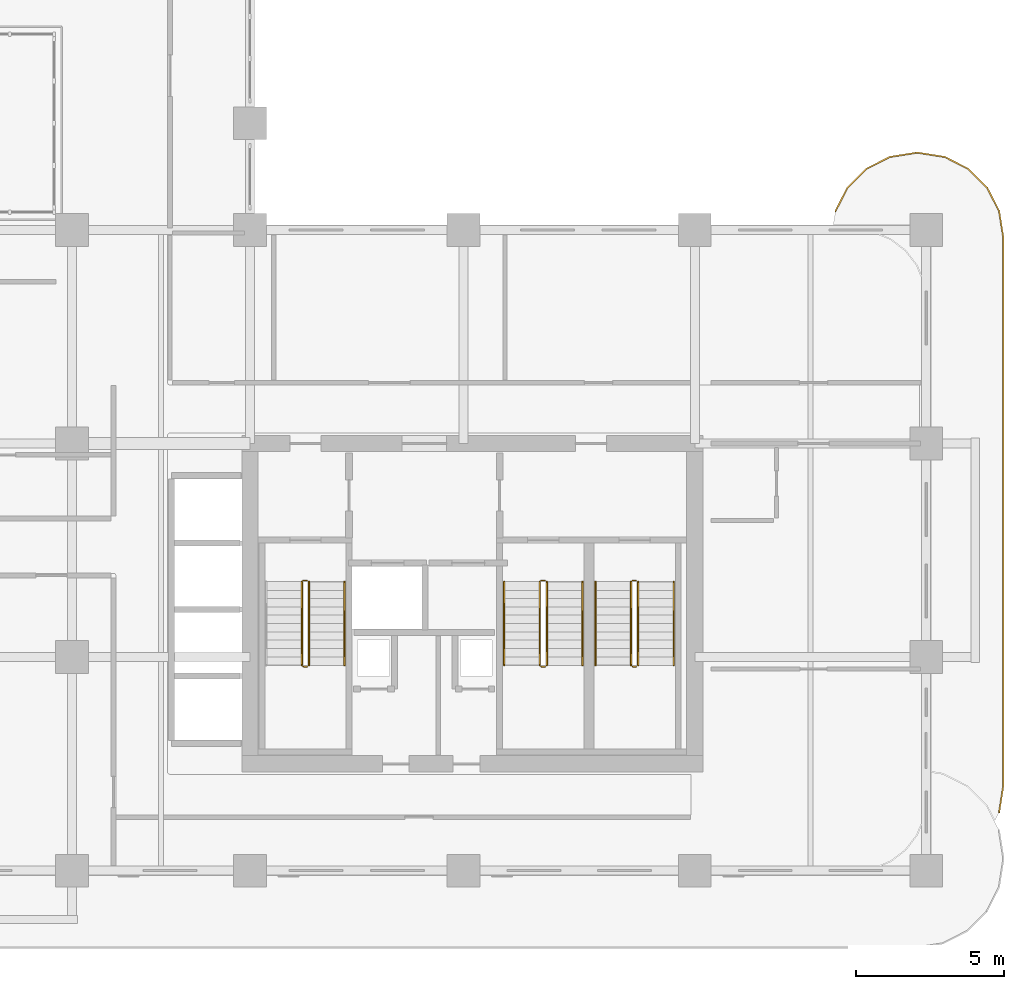
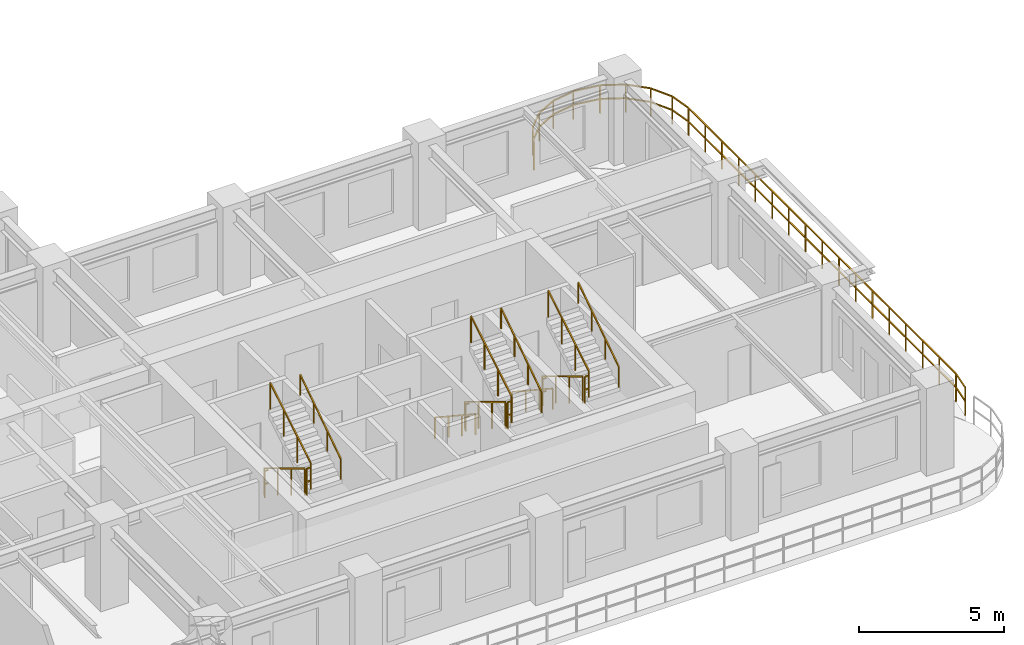
# One storey, part 20 of 22: 18 railings.
"""IFC4 building model written with IfcOpenShell, lengths in metres."""

from ifc_helpers import new_model, si_unit, derived_unit, direction, frame, origin, origin_2d, place, context, subcontext, project, spatial, rectangle, extrude, material, type_object, element, save


model = new_model("IFC4")

# Units and contexts
model_context = context("Model", 3, precision=1e-05, world=origin(), true_north=direction((0.0, 1.0)))
body_context = subcontext(model_context, "Body", "Model", "MODEL_VIEW")
ifc_project = project(units=[si_unit("LENGTHUNIT", "METRE"), si_unit("AREAUNIT", "SQUARE_METRE"), si_unit("VOLUMEUNIT", "CUBIC_METRE"), si_unit("PLANEANGLEUNIT", "RADIAN"), si_unit("MASSUNIT", "GRAM", prefix="KILO"), si_unit("THERMODYNAMICTEMPERATUREUNIT", "KELVIN"), si_unit("POWERUNIT", "WATT"), derived_unit("THERMALTRANSMITTANCEUNIT", [(si_unit("POWERUNIT", "WATT"), 1), (si_unit("AREAUNIT", "SQUARE_METRE"), -1), (si_unit("THERMODYNAMICTEMPERATUREUNIT", "KELVIN"), -1)])], contexts=[model_context])

# Site, building, storey
site_placement = place(None, origin())
site = spatial("IfcSite", under=ifc_project, at=site_placement, CompositionType="ELEMENT")
building_placement = place(site_placement, origin())
building = spatial("IfcBuilding", under=site, at=building_placement, Name="Zahravan Archway Hotel and Residences", CompositionType="ELEMENT")
storey_placement = place(building_placement, frame((0.0, 0.0, 84.199951171875)))
storey = spatial("IfcBuildingStorey", under=building, at=storey_placement, Name="L20", CompositionType="ELEMENT", Elevation=84.199951171875)

# Railings
ifc_material_1 = material(Name="Bronze & Laminated Glass Balustrade", Category="glass")
railing_type_1 = type_object("IfcRailingType", Name="RL-BAL-1200", PredefinedType="BALUSTRADE", material=ifc_material_1)
railing_1_placement = place(storey_placement, frame((54.53955078125, 22.230712890625, 0.0)))
element("IfcRailing", 1, at=railing_1_placement, inside=storey, type_object=railing_type_1, Name="L20 Balustrade RL-SLB-BAL-L20-EA-1", PredefinedType="BALUSTRADE", context=body_context, shape_type="SweptSolid", body=[
    extrude(rectangle(XDim=0.048095703125, YDim=0.048095703125, at=origin_2d()), frame((0.0, 0.0, 1.17578125), z_axis=(0.453991409995, 0.891006060389, 0.0), x_axis=(-0.891006060389, 0.453991409995, 0.0)), (0.0, 0.0, 1.0), 0.8916015625),
    extrude(rectangle(XDim=0.048095703125, YDim=0.048095703125, at=origin_2d()), frame((0.0, 0.0, 0.60009765625), z_axis=(0.453991409995, 0.891006060389, 0.0), x_axis=(-0.891006060389, 0.453991409995, 0.0)), (0.0, 0.0, 1.0), 0.8916015625),
    extrude(rectangle(XDim=0.048095703125, YDim=0.048095703125, at=origin_2d()), frame((0.40478515625, 0.79443359375, 1.17578125), z_axis=(0.706969864397, 0.70724367147, 0.0), x_axis=(-0.70724367147, 0.706969864397, 0.0)), (0.0, 0.0, 1.0), 0.8916015625),
    extrude(rectangle(XDim=0.048095703125, YDim=0.048095703125, at=origin_2d()), frame((0.40478515625, 0.79443359375, 0.60009765625), z_axis=(0.706969864397, 0.70724367147, 0.0), x_axis=(-0.70724367147, 0.706969864397, 0.0)), (0.0, 0.0, 1.0), 0.8916015625),
    extrude(rectangle(XDim=0.048095703125, YDim=0.048095703125, at=origin_2d()), frame((1.03515625, 1.425048828125, 1.17578125), z_axis=(0.891062476022, 0.45388067135, 0.0), x_axis=(-0.45388067135, 0.891062476022, 0.0)), (0.0, 0.0, 1.0), 0.891845703125),
    extrude(rectangle(XDim=0.048095703125, YDim=0.048095703125, at=origin_2d()), frame((1.03515625, 1.425048828125, 0.60009765625), z_axis=(0.891062476022, 0.45388067135, 0.0), x_axis=(-0.45388067135, 0.891062476022, 0.0)), (0.0, 0.0, 1.0), 0.891845703125),
    extrude(rectangle(XDim=0.048095703125, YDim=0.048095703125, at=origin_2d()), frame((1.829833984375, 1.829833984375, 1.17578125), z_axis=(0.987700720307, 0.156356282588, 0.0), x_axis=(-0.156356282588, 0.987700720307, 0.0)), (0.0, 0.0, 1.0), 0.8916015625),
    extrude(rectangle(XDim=0.048095703125, YDim=0.048095703125, at=origin_2d()), frame((1.829833984375, 1.829833984375, 0.60009765625), z_axis=(0.987700720307, 0.156356282588, 0.0), x_axis=(-0.156356282588, 0.987700720307, 0.0)), (0.0, 0.0, 1.0), 0.8916015625),
    extrude(rectangle(XDim=0.048095703125, YDim=0.048095703125, at=origin_2d()), frame((2.71044921875, 1.96923828125, 1.17578125), z_axis=(1.0, 0.0, 0.0), x_axis=(0.0, 1.0, 0.0)), (0.0, 0.0, 1.0), 0.10009765625),
    extrude(rectangle(XDim=0.048095703125, YDim=0.048095703125, at=origin_2d()), frame((2.71044921875, 1.96923828125, 0.60009765625), z_axis=(1.0, 0.0, 0.0), x_axis=(0.0, 1.0, 0.0)), (0.0, 0.0, 1.0), 0.10009765625),
    extrude(rectangle(XDim=0.048095703125, YDim=0.048095703125, at=origin_2d()), frame((2.810546875, 1.96923828125, 1.17578125), z_axis=(0.987700720307, -0.156356282588, 0.0), x_axis=(0.156356282588, 0.987700720307, 0.0)), (0.0, 0.0, 1.0), 0.8916015625),
    extrude(rectangle(XDim=0.048095703125, YDim=0.048095703125, at=origin_2d()), frame((2.810546875, 1.96923828125, 0.60009765625), z_axis=(0.987700720307, -0.156356282588, 0.0), x_axis=(0.156356282588, 0.987700720307, 0.0)), (0.0, 0.0, 1.0), 0.8916015625),
    extrude(rectangle(XDim=0.048095703125, YDim=0.048095703125, at=origin_2d()), frame((3.691162109375, 1.829833984375, 1.17578125), z_axis=(0.891006060389, -0.453991409995, 0.0), x_axis=(0.453991409995, 0.891006060389, 0.0)), (0.0, 0.0, 1.0), 0.8916015625),
    extrude(rectangle(XDim=0.048095703125, YDim=0.048095703125, at=origin_2d()), frame((3.691162109375, 1.829833984375, 0.60009765625), z_axis=(0.891006060389, -0.453991409995, 0.0), x_axis=(0.453991409995, 0.891006060389, 0.0)), (0.0, 0.0, 1.0), 0.8916015625),
    extrude(rectangle(XDim=0.048095703125, YDim=0.048095703125, at=origin_2d()), frame((4.485595703125, 1.425048828125, 1.17578125), z_axis=(0.707106781187, -0.707106781187, 0.0), x_axis=(0.707106781187, 0.707106781187, 0.0)), (0.0, 0.0, 1.0), 0.891845703125),
    extrude(rectangle(XDim=0.048095703125, YDim=0.048095703125, at=origin_2d()), frame((4.485595703125, 1.425048828125, 0.60009765625), z_axis=(0.707106781187, -0.707106781187, 0.0), x_axis=(0.707106781187, 0.707106781187, 0.0)), (0.0, 0.0, 1.0), 0.891845703125),
    extrude(rectangle(XDim=0.048095703125, YDim=0.048095703125, at=origin_2d()), frame((5.1162109375, 0.79443359375, 1.17578125), z_axis=(0.453991409995, -0.891006060389, 0.0), x_axis=(0.891006060389, 0.453991409995, 0.0)), (0.0, 0.0, 1.0), 0.8916015625),
    extrude(rectangle(XDim=0.048095703125, YDim=0.048095703125, at=origin_2d()), frame((5.1162109375, 0.79443359375, 0.60009765625), z_axis=(0.453991409995, -0.891006060389, 0.0), x_axis=(0.891006060389, 0.453991409995, 0.0)), (0.0, 0.0, 1.0), 0.8916015625),
    extrude(rectangle(XDim=0.048095703125, YDim=0.048095703125, at=origin_2d()), frame((5.52099609375, 0.0, 1.17578125), z_axis=(0.156356282588, -0.987700720307, 0.0), x_axis=(0.987700720307, 0.156356282588, 0.0)), (0.0, 0.0, 1.0), 0.8916015625),
    extrude(rectangle(XDim=0.048095703125, YDim=0.048095703125, at=origin_2d()), frame((5.52099609375, 0.0, 0.60009765625), z_axis=(0.156356282588, -0.987700720307, 0.0), x_axis=(0.987700720307, 0.156356282588, 0.0)), (0.0, 0.0, 1.0), 0.8916015625),
    extrude(rectangle(XDim=0.048095703125, YDim=0.048095703125, at=origin_2d()), frame((5.660400390625, -0.880615234375, 1.17578125), z_axis=(0.0, -1.0, 0.0), x_axis=(1.0, 0.0, 0.0)), (0.0, 0.0, 1.0), 18.5),
    extrude(rectangle(XDim=0.048095703125, YDim=0.048095703125, at=origin_2d()), frame((5.660400390625, -0.880615234375, 0.60009765625), z_axis=(0.0, -1.0, 0.0), x_axis=(1.0, 0.0, 0.0)), (0.0, 0.0, 1.0), 18.5),
    extrude(rectangle(XDim=0.048095703125, YDim=0.048095703125, at=origin_2d()), frame((5.660400390625, -19.380615234375, 1.17578125), z_axis=(-0.156314005608, -0.987707411965, 0.0), x_axis=(0.987707411965, -0.156314005608, 0.0)), (0.0, 0.0, 1.0), 0.891845703125),
    extrude(rectangle(XDim=0.048095703125, YDim=0.048095703125, at=origin_2d()), frame((5.660400390625, -19.380615234375, 0.60009765625), z_axis=(-0.156314005608, -0.987707411965, 0.0), x_axis=(0.987707411965, -0.156314005608, 0.0)), (0.0, 0.0, 1.0), 0.891845703125),
    extrude(rectangle(XDim=0.0419921875, YDim=0.0419921875, at=origin_2d()), origin(), (0.0, 0.0, 1.0), 1.15185546875),
    extrude(rectangle(XDim=0.0419921875, YDim=0.0419921875, at=origin_2d()), frame((0.40478515625, 0.79443359375, 0.0)), (0.0, 0.0, 1.0), 1.15185546875),
    extrude(rectangle(XDim=0.0419921875, YDim=0.0419921875, at=origin_2d()), frame((1.03515625, 1.425048828125, 0.0)), (0.0, 0.0, 1.0), 1.15185546875),
    extrude(rectangle(XDim=0.0419921875, YDim=0.0419921875, at=origin_2d()), frame((1.829833984375, 1.829833984375, 0.0)), (0.0, 0.0, 1.0), 1.15185546875),
    extrude(rectangle(XDim=0.0419921875, YDim=0.0419921875, at=origin_2d()), frame((2.71044921875, 1.96923828125, 0.0)), (0.0, 0.0, 1.0), 1.15185546875),
    extrude(rectangle(XDim=0.0419921875, YDim=0.0419921875, at=origin_2d()), frame((3.691162109375, 1.829833984375, 0.0)), (0.0, 0.0, 1.0), 1.15185546875),
    extrude(rectangle(XDim=0.0419921875, YDim=0.0419921875, at=origin_2d()), frame((4.485595703125, 1.425048828125, 0.0)), (0.0, 0.0, 1.0), 1.15185546875),
    extrude(rectangle(XDim=0.0419921875, YDim=0.0419921875, at=origin_2d()), frame((5.1162109375, 0.79443359375, 0.0)), (0.0, 0.0, 1.0), 1.15185546875),
    extrude(rectangle(XDim=0.0419921875, YDim=0.0419921875, at=origin_2d()), frame((5.52099609375, 0.0, 0.0)), (0.0, 0.0, 1.0), 1.15185546875),
    extrude(rectangle(XDim=0.0419921875, YDim=0.0419921875, at=origin_2d()), frame((5.660400390625, -0.880615234375, 0.0)), (0.0, 0.0, 1.0), 1.15185546875),
    extrude(rectangle(XDim=0.0419921875, YDim=0.0419921875, at=origin_2d()), frame((5.660400390625, -2.036865234375, 0.0)), (0.0, 0.0, 1.0), 1.15185546875),
    extrude(rectangle(XDim=0.0419921875, YDim=0.0419921875, at=origin_2d()), frame((5.660400390625, -3.193115234375, 0.0)), (0.0, 0.0, 1.0), 1.15185546875),
    extrude(rectangle(XDim=0.0419921875, YDim=0.0419921875, at=origin_2d()), frame((5.660400390625, -4.349365234375, 0.0)), (0.0, 0.0, 1.0), 1.15185546875),
    extrude(rectangle(XDim=0.0419921875, YDim=0.0419921875, at=origin_2d()), frame((5.660400390625, -5.505615234375, 0.0)), (0.0, 0.0, 1.0), 1.15185546875),
    extrude(rectangle(XDim=0.0419921875, YDim=0.0419921875, at=origin_2d()), frame((5.660400390625, -6.661865234375, 0.0)), (0.0, 0.0, 1.0), 1.15185546875),
    extrude(rectangle(XDim=0.0419921875, YDim=0.0419921875, at=origin_2d()), frame((5.660400390625, -7.818115234375, 0.0)), (0.0, 0.0, 1.0), 1.15185546875),
    extrude(rectangle(XDim=0.0419921875, YDim=0.0419921875, at=origin_2d()), frame((5.660400390625, -8.974365234375, 0.0)), (0.0, 0.0, 1.0), 1.15185546875),
    extrude(rectangle(XDim=0.0419921875, YDim=0.0419921875, at=origin_2d()), frame((5.660400390625, -10.130615234375, 0.0)), (0.0, 0.0, 1.0), 1.15185546875),
    extrude(rectangle(XDim=0.0419921875, YDim=0.0419921875, at=origin_2d()), frame((5.660400390625, -11.286865234375, 0.0)), (0.0, 0.0, 1.0), 1.15185546875),
    extrude(rectangle(XDim=0.0419921875, YDim=0.0419921875, at=origin_2d()), frame((5.660400390625, -12.443115234375, 0.0)), (0.0, 0.0, 1.0), 1.15185546875),
    extrude(rectangle(XDim=0.0419921875, YDim=0.0419921875, at=origin_2d()), frame((5.660400390625, -13.599365234375, 0.0)), (0.0, 0.0, 1.0), 1.15185546875),
    extrude(rectangle(XDim=0.0419921875, YDim=0.0419921875, at=origin_2d()), frame((5.660400390625, -14.755615234375, 0.0)), (0.0, 0.0, 1.0), 1.15185546875),
    extrude(rectangle(XDim=0.0419921875, YDim=0.0419921875, at=origin_2d()), frame((5.660400390625, -15.911865234375, 0.0)), (0.0, 0.0, 1.0), 1.15185546875),
    extrude(rectangle(XDim=0.0419921875, YDim=0.0419921875, at=origin_2d()), frame((5.660400390625, -17.068115234375, 0.0)), (0.0, 0.0, 1.0), 1.15185546875),
    extrude(rectangle(XDim=0.0419921875, YDim=0.0419921875, at=origin_2d()), frame((5.660400390625, -18.224365234375, 0.0)), (0.0, 0.0, 1.0), 1.15185546875),
    extrude(rectangle(XDim=0.0419921875, YDim=0.0419921875, at=origin_2d()), frame((5.660400390625, -19.380615234375, 0.0)), (0.0, 0.0, 1.0), 1.15185546875),
    extrude(rectangle(XDim=0.0419921875, YDim=0.0419921875, at=origin_2d()), frame((5.52099609375, -20.261474609375, 0.0)), (0.0, 0.0, 1.0), 1.15185546875),
])
ifc_material_2 = material(Name="Painted Tubular Steel", Category="steel")
railing_type_2 = type_object("IfcRailingType", Name="RL-STG-1150", PredefinedType="GUARDRAIL", material=ifc_material_2)
railing_2_placement = place(storey_placement, frame((36.550048828125, 9.72998046875, 0.168212890625)))
element("IfcRailing", 2, at=railing_2_placement, inside=storey, type_object=railing_type_2, Name="L20 ST-A1 stair guard 1", PredefinedType="GUARDRAIL", context=body_context, shape_type="SweptSolid", body=[
    extrude(rectangle(XDim=0.048095703125, YDim=0.048095703125, at=origin_2d()), frame((0.0, 0.0, 1.1259765625), z_axis=(0.0, -0.857242210791, 0.514913383045), x_axis=(1.0, 0.0, 0.0)), (0.0, 0.0, 1.0), 3.266357421875),
    extrude(rectangle(XDim=0.0419921875, YDim=0.0419921875, at=origin_2d()), origin(), (0.0, 0.0, 1.0), 1.101806640625),
    extrude(rectangle(XDim=0.0419921875, YDim=0.0419921875, at=origin_2d()), frame((0.0, -0.933349609375, 0.560546875)), (0.0, 0.0, 1.0), 1.101806640625),
    extrude(rectangle(XDim=0.0419921875, YDim=0.0419921875, at=origin_2d()), frame((0.0, -1.86669921875, 1.121337890625)), (0.0, 0.0, 1.0), 1.101806640625),
    extrude(rectangle(XDim=0.0419921875, YDim=0.0419921875, at=origin_2d()), frame((0.0, -2.800048828125, 1.681884765625)), (0.0, 0.0, 1.0), 1.101806640625),
])
railing_3_placement = place(storey_placement, frame((36.60009765625, 6.8798828125, 1.85009765625)))
element("IfcRailing", 3, at=railing_3_placement, inside=storey, type_object=railing_type_2, Name="L20 ST-A1 stair guard 2", PredefinedType="GUARDRAIL", context=body_context, shape_type="SweptSolid", body=[
    extrude(rectangle(XDim=0.048095703125, YDim=0.048095703125, at=origin_2d()), frame((0.0, 0.0, 1.1259765625), z_axis=(1.0, 0.0, 0.0), x_axis=(0.0, 1.0, 0.0)), (0.0, 0.0, 1.0), 0.139892578125),
    extrude(rectangle(XDim=0.048095703125, YDim=0.048095703125, at=origin_2d()), frame((0.0, 0.0, 0.574951171875), z_axis=(1.0, 0.0, 0.0), x_axis=(0.0, 1.0, 0.0)), (0.0, 0.0, 1.0), 0.139892578125),
    extrude(rectangle(XDim=0.0419921875, YDim=0.0419921875, at=origin_2d()), origin(), (0.0, 0.0, 1.0), 1.101806640625),
])
railing_4_placement = place(storey_placement, frame((36.7900390625, 6.929931640625, 2.018310546875)))
element("IfcRailing", 4, at=railing_4_placement, inside=storey, type_object=railing_type_2, Name="L20 ST-A1 stair guard 3", PredefinedType="GUARDRAIL", context=body_context, shape_type="SweptSolid", body=[
    extrude(rectangle(XDim=0.048095703125, YDim=0.048095703125, at=origin_2d()), frame((0.0, 0.0, 1.1259765625), z_axis=(0.0, 0.857275202839, 0.514858452973), x_axis=(-1.0, 0.0, 0.0)), (0.0, 0.0, 1.0), 3.26611328125),
    extrude(rectangle(XDim=0.0419921875, YDim=0.0419921875, at=origin_2d()), origin(), (0.0, 0.0, 1.0), 1.101806640625),
    extrude(rectangle(XDim=0.0419921875, YDim=0.0419921875, at=origin_2d()), frame((0.0, 0.933349609375, 0.560546875)), (0.0, 0.0, 1.0), 1.101806640625),
    extrude(rectangle(XDim=0.0419921875, YDim=0.0419921875, at=origin_2d()), frame((0.0, 1.86669921875, 1.12109375)), (0.0, 0.0, 1.0), 1.101806640625),
    extrude(rectangle(XDim=0.0419921875, YDim=0.0419921875, at=origin_2d()), frame((0.0, 2.800048828125, 1.681640625)), (0.0, 0.0, 1.0), 1.101806640625),
])
railing_5_placement = place(storey_placement, frame((36.60009765625, 9.780029296875, 0.0)))
element("IfcRailing", 5, at=railing_5_placement, inside=storey, type_object=railing_type_2, Name="L20 ST-A1 stair guard 4", PredefinedType="GUARDRAIL", context=body_context, shape_type="SweptSolid", body=[
    extrude(rectangle(XDim=0.048095703125, YDim=0.048095703125, at=origin_2d()), frame((0.0, 0.0, 1.1259765625), z_axis=(1.0, 0.0, 0.0), x_axis=(0.0, 1.0, 0.0)), (0.0, 0.0, 1.0), 0.139892578125),
    extrude(rectangle(XDim=0.048095703125, YDim=0.048095703125, at=origin_2d()), frame((0.0, 0.0, 0.574951171875), z_axis=(1.0, 0.0, 0.0), x_axis=(0.0, 1.0, 0.0)), (0.0, 0.0, 1.0), 0.139892578125),
    extrude(rectangle(XDim=0.0419921875, YDim=0.0419921875, at=origin_2d()), origin(), (0.0, 0.0, 1.0), 1.101806640625),
])
railing_6_placement = place(storey_placement, frame((44.570068359375, 9.72998046875, 0.168212890625)))
element("IfcRailing", 6, at=railing_6_placement, inside=storey, type_object=railing_type_2, Name="L20 ST-A2 stair guard 1", PredefinedType="GUARDRAIL", context=body_context, shape_type="SweptSolid", body=[
    extrude(rectangle(XDim=0.048095703125, YDim=0.048095703125, at=origin_2d()), frame((0.0, 0.0, 1.1259765625), z_axis=(0.0, -0.857242210791, 0.514913383045), x_axis=(1.0, 0.0, 0.0)), (0.0, 0.0, 1.0), 3.266357421875),
    extrude(rectangle(XDim=0.0419921875, YDim=0.0419921875, at=origin_2d()), origin(), (0.0, 0.0, 1.0), 1.101806640625),
    extrude(rectangle(XDim=0.0419921875, YDim=0.0419921875, at=origin_2d()), frame((0.0, -0.933349609375, 0.560546875)), (0.0, 0.0, 1.0), 1.101806640625),
    extrude(rectangle(XDim=0.0419921875, YDim=0.0419921875, at=origin_2d()), frame((0.0, -1.86669921875, 1.121337890625)), (0.0, 0.0, 1.0), 1.101806640625),
    extrude(rectangle(XDim=0.0419921875, YDim=0.0419921875, at=origin_2d()), frame((0.0, -2.800048828125, 1.681884765625)), (0.0, 0.0, 1.0), 1.101806640625),
])
railing_7_placement = place(storey_placement, frame((44.6201171875, 6.8798828125, 1.85009765625)))
element("IfcRailing", 7, at=railing_7_placement, inside=storey, type_object=railing_type_2, Name="L20 ST-A2 stair guard 2", PredefinedType="GUARDRAIL", context=body_context, shape_type="SweptSolid", body=[
    extrude(rectangle(XDim=0.048095703125, YDim=0.048095703125, at=origin_2d()), frame((0.0, 0.0, 1.1259765625), z_axis=(1.0, 0.0, 0.0), x_axis=(0.0, 1.0, 0.0)), (0.0, 0.0, 1.0), 0.139892578125),
    extrude(rectangle(XDim=0.048095703125, YDim=0.048095703125, at=origin_2d()), frame((0.0, 0.0, 0.574951171875), z_axis=(1.0, 0.0, 0.0), x_axis=(0.0, 1.0, 0.0)), (0.0, 0.0, 1.0), 0.139892578125),
    extrude(rectangle(XDim=0.0419921875, YDim=0.0419921875, at=origin_2d()), origin(), (0.0, 0.0, 1.0), 1.101806640625),
])
railing_8_placement = place(storey_placement, frame((44.81005859375, 6.929931640625, 2.018310546875)))
element("IfcRailing", 8, at=railing_8_placement, inside=storey, type_object=railing_type_2, Name="L20 ST-A2 stair guard 3", PredefinedType="GUARDRAIL", context=body_context, shape_type="SweptSolid", body=[
    extrude(rectangle(XDim=0.048095703125, YDim=0.048095703125, at=origin_2d()), frame((0.0, 0.0, 1.1259765625), z_axis=(0.0, 0.857275202839, 0.514858452973), x_axis=(-1.0, 0.0, 0.0)), (0.0, 0.0, 1.0), 3.26611328125),
    extrude(rectangle(XDim=0.0419921875, YDim=0.0419921875, at=origin_2d()), origin(), (0.0, 0.0, 1.0), 1.101806640625),
    extrude(rectangle(XDim=0.0419921875, YDim=0.0419921875, at=origin_2d()), frame((0.0, 0.933349609375, 0.560546875)), (0.0, 0.0, 1.0), 1.101806640625),
    extrude(rectangle(XDim=0.0419921875, YDim=0.0419921875, at=origin_2d()), frame((0.0, 1.86669921875, 1.12109375)), (0.0, 0.0, 1.0), 1.101806640625),
    extrude(rectangle(XDim=0.0419921875, YDim=0.0419921875, at=origin_2d()), frame((0.0, 2.800048828125, 1.681640625)), (0.0, 0.0, 1.0), 1.101806640625),
])
railing_9_placement = place(storey_placement, frame((44.6201171875, 9.780029296875, 0.0)))
element("IfcRailing", 9, at=railing_9_placement, inside=storey, type_object=railing_type_2, Name="L20 ST-A2 stair guard 4", PredefinedType="GUARDRAIL", context=body_context, shape_type="SweptSolid", body=[
    extrude(rectangle(XDim=0.048095703125, YDim=0.048095703125, at=origin_2d()), frame((0.0, 0.0, 1.1259765625), z_axis=(1.0, 0.0, 0.0), x_axis=(0.0, 1.0, 0.0)), (0.0, 0.0, 1.0), 0.139892578125),
    extrude(rectangle(XDim=0.048095703125, YDim=0.048095703125, at=origin_2d()), frame((0.0, 0.0, 0.574951171875), z_axis=(1.0, 0.0, 0.0), x_axis=(0.0, 1.0, 0.0)), (0.0, 0.0, 1.0), 0.139892578125),
    extrude(rectangle(XDim=0.0419921875, YDim=0.0419921875, at=origin_2d()), origin(), (0.0, 0.0, 1.0), 1.101806640625),
])
railing_10_placement = place(storey_placement, frame((47.64990234375, 9.72998046875, 0.168212890625)))
element("IfcRailing", 10, at=railing_10_placement, inside=storey, type_object=railing_type_2, Name="L20 ST-A3 stair guard 1", PredefinedType="GUARDRAIL", context=body_context, shape_type="SweptSolid", body=[
    extrude(rectangle(XDim=0.048095703125, YDim=0.048095703125, at=origin_2d()), frame((0.0, 0.0, 1.1259765625), z_axis=(0.0, -0.857242210791, 0.514913383045), x_axis=(1.0, 0.0, 0.0)), (0.0, 0.0, 1.0), 3.266357421875),
    extrude(rectangle(XDim=0.0419921875, YDim=0.0419921875, at=origin_2d()), origin(), (0.0, 0.0, 1.0), 1.101806640625),
    extrude(rectangle(XDim=0.0419921875, YDim=0.0419921875, at=origin_2d()), frame((0.0, -0.933349609375, 0.560546875)), (0.0, 0.0, 1.0), 1.101806640625),
    extrude(rectangle(XDim=0.0419921875, YDim=0.0419921875, at=origin_2d()), frame((0.0, -1.86669921875, 1.121337890625)), (0.0, 0.0, 1.0), 1.101806640625),
    extrude(rectangle(XDim=0.0419921875, YDim=0.0419921875, at=origin_2d()), frame((0.0, -2.800048828125, 1.681884765625)), (0.0, 0.0, 1.0), 1.101806640625),
])
railing_11_placement = place(storey_placement, frame((47.699951171875, 6.8798828125, 1.85009765625)))
element("IfcRailing", 11, at=railing_11_placement, inside=storey, type_object=railing_type_2, Name="L20 ST-A3 stair guard 2", PredefinedType="GUARDRAIL", context=body_context, shape_type="SweptSolid", body=[
    extrude(rectangle(XDim=0.048095703125, YDim=0.048095703125, at=origin_2d()), frame((0.0, 0.0, 1.1259765625), z_axis=(1.0, 0.0, 0.0), x_axis=(0.0, 1.0, 0.0)), (0.0, 0.0, 1.0), 0.14013671875),
    extrude(rectangle(XDim=0.048095703125, YDim=0.048095703125, at=origin_2d()), frame((0.0, 0.0, 0.574951171875), z_axis=(1.0, 0.0, 0.0), x_axis=(0.0, 1.0, 0.0)), (0.0, 0.0, 1.0), 0.14013671875),
    extrude(rectangle(XDim=0.0419921875, YDim=0.0419921875, at=origin_2d()), origin(), (0.0, 0.0, 1.0), 1.101806640625),
])
railing_12_placement = place(storey_placement, frame((47.889892578125, 6.929931640625, 2.018310546875)))
element("IfcRailing", 12, at=railing_12_placement, inside=storey, type_object=railing_type_2, Name="L20 ST-A3 stair guard 3", PredefinedType="GUARDRAIL", context=body_context, shape_type="SweptSolid", body=[
    extrude(rectangle(XDim=0.048095703125, YDim=0.048095703125, at=origin_2d()), frame((0.0, 0.0, 1.1259765625), z_axis=(0.0, 0.857275202839, 0.514858452973), x_axis=(-1.0, 0.0, 0.0)), (0.0, 0.0, 1.0), 3.26611328125),
    extrude(rectangle(XDim=0.0419921875, YDim=0.0419921875, at=origin_2d()), origin(), (0.0, 0.0, 1.0), 1.101806640625),
    extrude(rectangle(XDim=0.0419921875, YDim=0.0419921875, at=origin_2d()), frame((0.0, 0.933349609375, 0.560546875)), (0.0, 0.0, 1.0), 1.101806640625),
    extrude(rectangle(XDim=0.0419921875, YDim=0.0419921875, at=origin_2d()), frame((0.0, 1.86669921875, 1.12109375)), (0.0, 0.0, 1.0), 1.101806640625),
    extrude(rectangle(XDim=0.0419921875, YDim=0.0419921875, at=origin_2d()), frame((0.0, 2.800048828125, 1.681640625)), (0.0, 0.0, 1.0), 1.101806640625),
])
railing_13_placement = place(storey_placement, frame((47.699951171875, 9.780029296875, 0.0)))
element("IfcRailing", 13, at=railing_13_placement, inside=storey, type_object=railing_type_2, Name="L20 ST-A3 stair guard 4", PredefinedType="GUARDRAIL", context=body_context, shape_type="SweptSolid", body=[
    extrude(rectangle(XDim=0.048095703125, YDim=0.048095703125, at=origin_2d()), frame((0.0, 0.0, 1.1259765625), z_axis=(1.0, 0.0, 0.0), x_axis=(0.0, 1.0, 0.0)), (0.0, 0.0, 1.0), 0.14013671875),
    extrude(rectangle(XDim=0.048095703125, YDim=0.048095703125, at=origin_2d()), frame((0.0, 0.0, 0.574951171875), z_axis=(1.0, 0.0, 0.0), x_axis=(0.0, 1.0, 0.0)), (0.0, 0.0, 1.0), 0.14013671875),
    extrude(rectangle(XDim=0.0419921875, YDim=0.0419921875, at=origin_2d()), origin(), (0.0, 0.0, 1.0), 1.101806640625),
])
ifc_material_3 = material(Name="Brushed Stainless Steel", Category="steel")
railing_type_3 = type_object("IfcRailingType", Name="RL-STH-900", PredefinedType="HANDRAIL", material=ifc_material_3)
railing_14_placement = place(storey_placement, frame((37.989990234375, 6.929931640625, 2.018310546875)))
element("IfcRailing", 14, at=railing_14_placement, inside=storey, type_object=railing_type_3, Name="L20 ST-A1 stair handrail 2", PredefinedType="HANDRAIL", context=body_context, shape_type="SweptSolid", body=[
    extrude(rectangle(XDim=0.048095703125, YDim=0.048095703125, at=origin_2d()), frame((0.0, 0.0, 0.8759765625), z_axis=(0.0, 0.83435981716, 0.551220187865), x_axis=(-1.0, 0.0, 0.0)), (0.0, 0.0, 1.0), 3.35595703125),
    extrude(rectangle(XDim=0.0419921875, YDim=0.0419921875, at=origin_2d()), origin(), (0.0, 0.0, 1.0), 0.851806640625),
    extrude(rectangle(XDim=0.0419921875, YDim=0.0419921875, at=origin_2d()), frame((0.0, 0.933349609375, 0.61669921875)), (0.0, 0.0, 1.0), 0.851806640625),
    extrude(rectangle(XDim=0.0419921875, YDim=0.0419921875, at=origin_2d()), frame((0.0, 1.86669921875, 1.233154296875)), (0.0, 0.0, 1.0), 0.851806640625),
    extrude(rectangle(XDim=0.0419921875, YDim=0.0419921875, at=origin_2d()), frame((0.0, 2.800048828125, 1.849853515625)), (0.0, 0.0, 1.0), 0.851806640625),
])
railing_15_placement = place(storey_placement, frame((43.3701171875, 9.72998046875, 0.168212890625)))
element("IfcRailing", 15, at=railing_15_placement, inside=storey, type_object=railing_type_3, Name="L20 ST-A2 stair handrail 1", PredefinedType="HANDRAIL", context=body_context, shape_type="SweptSolid", body=[
    extrude(rectangle(XDim=0.048095703125, YDim=0.048095703125, at=origin_2d()), frame((0.0, 0.0, 0.8759765625), z_axis=(0.0, -0.834326358476, 0.551270829586), x_axis=(1.0, 0.0, 0.0)), (0.0, 0.0, 1.0), 3.35595703125),
    extrude(rectangle(XDim=0.0419921875, YDim=0.0419921875, at=origin_2d()), origin(), (0.0, 0.0, 1.0), 0.851806640625),
    extrude(rectangle(XDim=0.0419921875, YDim=0.0419921875, at=origin_2d()), frame((0.0, -0.933349609375, 0.61669921875)), (0.0, 0.0, 1.0), 0.851806640625),
    extrude(rectangle(XDim=0.0419921875, YDim=0.0419921875, at=origin_2d()), frame((0.0, -1.86669921875, 1.2333984375)), (0.0, 0.0, 1.0), 0.851806640625),
    extrude(rectangle(XDim=0.0419921875, YDim=0.0419921875, at=origin_2d()), frame((0.0, -2.800048828125, 1.85009765625)), (0.0, 0.0, 1.0), 0.851806640625),
])
railing_16_placement = place(storey_placement, frame((46.010009765625, 6.929931640625, 2.018310546875)))
element("IfcRailing", 16, at=railing_16_placement, inside=storey, type_object=railing_type_3, Name="L20 ST-A2 stair handrail 2", PredefinedType="HANDRAIL", context=body_context, shape_type="SweptSolid", body=[
    extrude(rectangle(XDim=0.048095703125, YDim=0.048095703125, at=origin_2d()), frame((0.0, 0.0, 0.8759765625), z_axis=(0.0, 0.83435981716, 0.551220187865), x_axis=(-1.0, 0.0, 0.0)), (0.0, 0.0, 1.0), 3.35595703125),
    extrude(rectangle(XDim=0.0419921875, YDim=0.0419921875, at=origin_2d()), origin(), (0.0, 0.0, 1.0), 0.851806640625),
    extrude(rectangle(XDim=0.0419921875, YDim=0.0419921875, at=origin_2d()), frame((0.0, 0.933349609375, 0.61669921875)), (0.0, 0.0, 1.0), 0.851806640625),
    extrude(rectangle(XDim=0.0419921875, YDim=0.0419921875, at=origin_2d()), frame((0.0, 1.86669921875, 1.233154296875)), (0.0, 0.0, 1.0), 0.851806640625),
    extrude(rectangle(XDim=0.0419921875, YDim=0.0419921875, at=origin_2d()), frame((0.0, 2.800048828125, 1.849853515625)), (0.0, 0.0, 1.0), 0.851806640625),
])
railing_17_placement = place(storey_placement, frame((46.449951171875, 9.72998046875, 0.168212890625)))
element("IfcRailing", 17, at=railing_17_placement, inside=storey, type_object=railing_type_3, Name="L20 ST-A3 stair handrail 1", PredefinedType="HANDRAIL", context=body_context, shape_type="SweptSolid", body=[
    extrude(rectangle(XDim=0.048095703125, YDim=0.048095703125, at=origin_2d()), frame((0.0, 0.0, 0.8759765625), z_axis=(0.0, -0.834326358476, 0.551270829586), x_axis=(1.0, 0.0, 0.0)), (0.0, 0.0, 1.0), 3.35595703125),
    extrude(rectangle(XDim=0.0419921875, YDim=0.0419921875, at=origin_2d()), origin(), (0.0, 0.0, 1.0), 0.851806640625),
    extrude(rectangle(XDim=0.0419921875, YDim=0.0419921875, at=origin_2d()), frame((0.0, -0.933349609375, 0.61669921875)), (0.0, 0.0, 1.0), 0.851806640625),
    extrude(rectangle(XDim=0.0419921875, YDim=0.0419921875, at=origin_2d()), frame((0.0, -1.86669921875, 1.2333984375)), (0.0, 0.0, 1.0), 0.851806640625),
    extrude(rectangle(XDim=0.0419921875, YDim=0.0419921875, at=origin_2d()), frame((0.0, -2.800048828125, 1.85009765625)), (0.0, 0.0, 1.0), 0.851806640625),
])
railing_18_placement = place(storey_placement, frame((49.090087890625, 6.929931640625, 2.018310546875)))
element("IfcRailing", 18, at=railing_18_placement, inside=storey, type_object=railing_type_3, Name="L20 ST-A3 stair handrail 2", PredefinedType="HANDRAIL", context=body_context, shape_type="SweptSolid", body=[
    extrude(rectangle(XDim=0.048095703125, YDim=0.048095703125, at=origin_2d()), frame((0.0, 0.0, 0.8759765625), z_axis=(0.0, 0.83435981716, 0.551220187865), x_axis=(-1.0, 0.0, 0.0)), (0.0, 0.0, 1.0), 3.35595703125),
    extrude(rectangle(XDim=0.0419921875, YDim=0.0419921875, at=origin_2d()), origin(), (0.0, 0.0, 1.0), 0.851806640625),
    extrude(rectangle(XDim=0.0419921875, YDim=0.0419921875, at=origin_2d()), frame((0.0, 0.933349609375, 0.61669921875)), (0.0, 0.0, 1.0), 0.851806640625),
    extrude(rectangle(XDim=0.0419921875, YDim=0.0419921875, at=origin_2d()), frame((0.0, 1.86669921875, 1.233154296875)), (0.0, 0.0, 1.0), 0.851806640625),
    extrude(rectangle(XDim=0.0419921875, YDim=0.0419921875, at=origin_2d()), frame((0.0, 2.800048828125, 1.849853515625)), (0.0, 0.0, 1.0), 0.851806640625),
])

save(model, "model.ifc")
